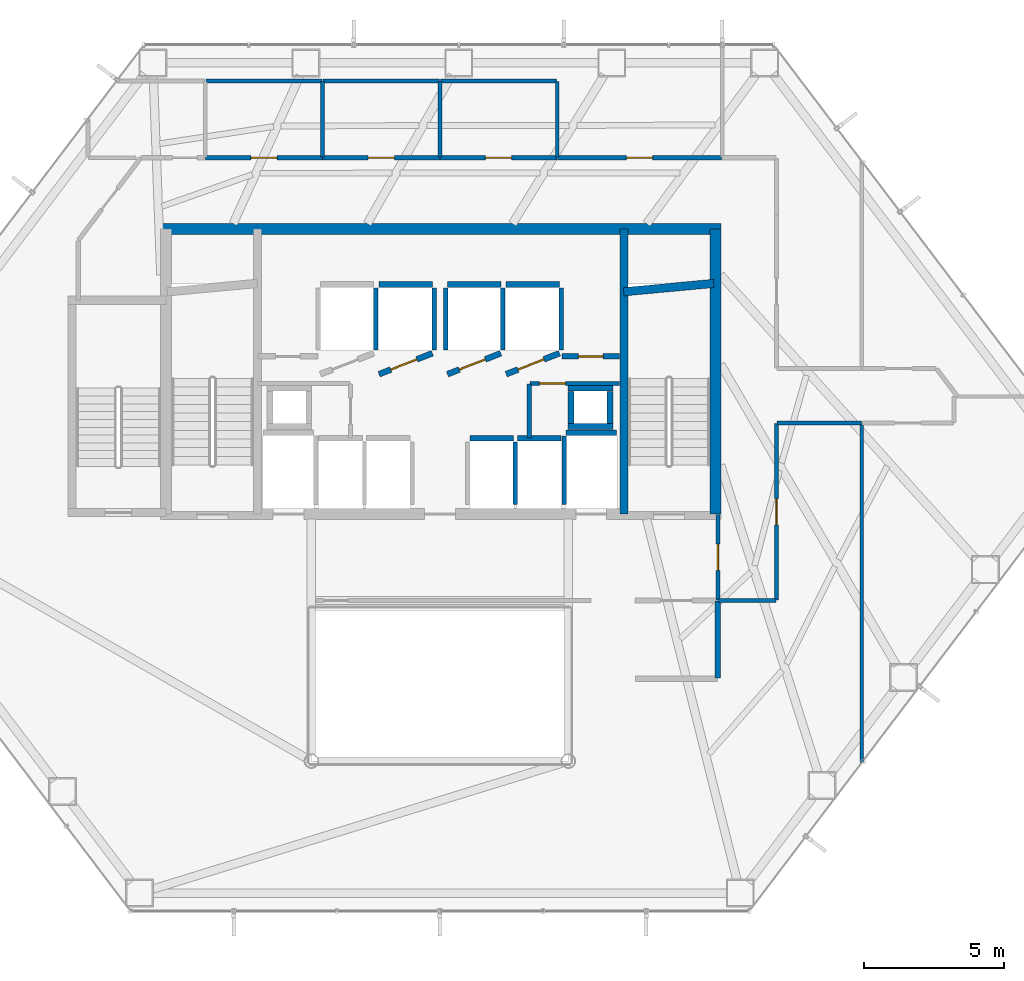
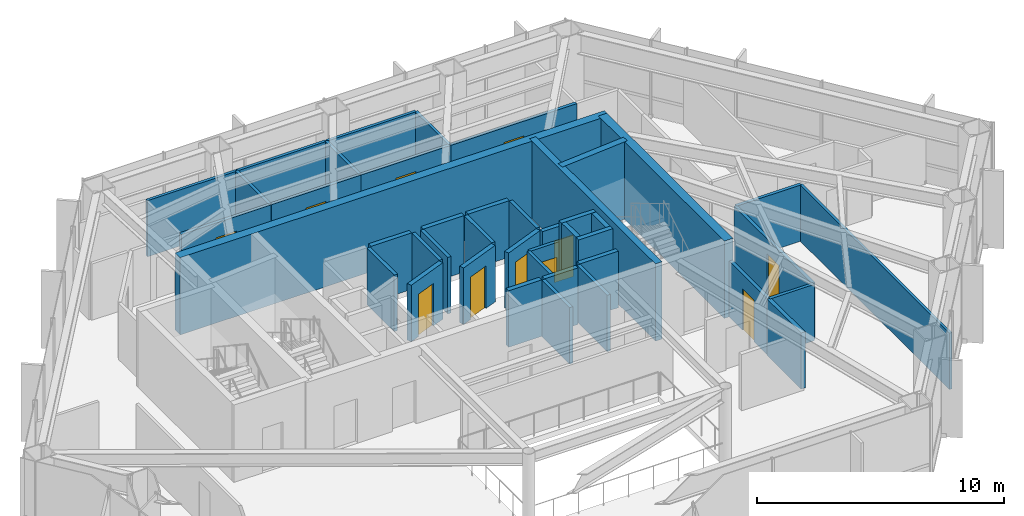
# One storey, part 23 of 25: 43 walls, 11 doors, 11 openings.
"""IFC4 building model written with IfcOpenShell, lengths in metres."""

from ifc_helpers import new_model, si_unit, direction, frame, frame_2d, origin, place, context, subcontext, project, spatial, rectangle, extrude, material, layer, layer_set, type_object, element, fill, save


model = new_model("IFC4")

# Units and contexts
model_context = context("Model", 3, precision=1e-05, world=origin(), true_north=direction((0.0, 1.0)))
body_context = subcontext(model_context, "Body", "Model", "MODEL_VIEW")
ifc_project = project(units=[si_unit("LENGTHUNIT", "METRE"), si_unit("AREAUNIT", "SQUARE_METRE"), si_unit("VOLUMEUNIT", "CUBIC_METRE"), si_unit("PLANEANGLEUNIT", "RADIAN"), si_unit("MASSUNIT", "GRAM", prefix="KILO")], contexts=[model_context])

# Site, building, storey
site_placement = place(None, origin())
site = spatial("IfcSite", under=ifc_project, at=site_placement, CompositionType="ELEMENT")
building_placement = place(site_placement, origin())
building = spatial("IfcBuilding", under=site, at=building_placement, Name="Zarrinselat Tower", CompositionType="ELEMENT")
storey_placement = place(building_placement, frame((0.0, 0.0, 43.860107421875)))
storey = spatial("IfcBuildingStorey", under=building, at=storey_placement, Name="L10", CompositionType="ELEMENT", Elevation=43.860107421875)

# Wall
ifc_material_1 = material(Name="Concrete C40/50", Category="concrete")
ifc_layer_1 = layer(ifc_material_1, 0.18994140625)
ifc_layer_set_1 = layer_set([ifc_layer_1], Name="Concrete C40/50")
wall_type_1 = type_object("IfcWallType", Name="WAL-PART-EI120", PredefinedType="PARTITIONING", material=ifc_layer_set_1)
wall_1_placement = place(storey_placement, frame((48.35009765625, 27.3701171875, 0.0), z_axis=(0.0, 0.0, 1.0), x_axis=(0.0, 1.0, 0.0)))
element("IfcWall", 1, at=wall_1_placement, inside=storey, type_object=wall_type_1, Name="L10 Partition Wall 11", PredefinedType="PARTITIONING", context=body_context, shape_type="SweptSolid", body=[
    extrude(rectangle(XDim=2.759765625, YDim=0.18994140625, at=frame_2d((1.3798828125, 0.0))), origin(), (0.0, 0.0, 1.0), 2.77685546875),
])

# Wall, opening, door
ifc_material_2 = material(Name="Fire-Rated Gypsum Board Partition", Category="gypsum")
ifc_layer_2 = layer(ifc_material_2, 0.14990234375)
ifc_layer_set_2 = layer_set([ifc_layer_2], Name="Fire-Rated Gypsum Board Partition")
wall_type_2 = type_object("IfcWallType", Name="WAL-PART-EI60", PredefinedType="PARTITIONING", material=ifc_layer_set_2)
wall_2_placement = place(storey_placement, frame((41.6201171875, 37.919921875, 0.0), z_axis=(0.0, 0.0, 1.0), x_axis=(1.0, 0.0, 0.0)))
wall_2 = element("IfcWall", 2, at=wall_2_placement, inside=storey, type_object=wall_type_2, Name="L10 Partition Wall 5", PredefinedType="PARTITIONING", context=body_context, shape_type="SweptSolid", body=[
    extrude(rectangle(XDim=3.21484375, YDim=0.14990234375, at=frame_2d((1.607421875, 0.0))), origin(), (0.0, 0.0, 1.0), 2.77685546875),
])
opening_1_placement = place(wall_2_placement, frame((0.33740234375, 0.0, 0.0)))
opening_1 = element("IfcOpeningElement", 3, at=opening_1_placement, cuts=wall_2, Name="Opening ID-04", PredefinedType="OPENING", context=body_context, shape_type="SweptSolid", body=[
    extrude(rectangle(XDim=0.93994140625, YDim=2.050048828125, at=frame_2d((0.469970703125, 1.02490234375))), frame((0.0, 0.0849609375, 0.0), z_axis=(0.0, -1.0, 0.0), x_axis=(1.0, 0.0, 0.0)), (0.0, 0.0, 1.0), 0.169921875),
])
ifc_material_3 = material(Name="Fire-Rated Gypsum Board Partition")
door_type_1 = type_object("IfcDoorType", Name="DR-INT-FD30-ENT", OperationType="NOTDEFINED", PredefinedType="DOOR", material=ifc_material_3)
door_1_placement = place(opening_1_placement, origin())
door_1 = element("IfcDoor", 4, at=door_1_placement, inside=storey, type_object=door_type_1, Name="L10 Interior Door P5", OperationType="SINGLE_SWING_RIGHT", OverallHeight=2.050048828125, OverallWidth=0.93994140625, PredefinedType="DOOR", context=body_context, shape_type="SweptSolid", body=[
    extrude(rectangle(XDim=0.93994140625, YDim=2.050048828125, at=frame_2d((0.469970703125, 1.02490234375))), frame((0.0, 0.02490234375, 0.0), z_axis=(0.0, -1.0, 0.0), x_axis=(1.0, 0.0, 0.0)), (0.0, 0.0, 1.0), 0.050048828125),
])
fill(opening_1, door_1)

# Wall
wall_3_placement = place(storey_placement, frame((41.60009765625, 35.969970703125, 0.0), z_axis=(0.0, 0.0, 1.0), x_axis=(0.0, 1.0, 0.0)))
element("IfcWall", 5, at=wall_3_placement, inside=storey, type_object=wall_type_2, Name="L10 Partition Wall 6", PredefinedType="PARTITIONING", context=body_context, shape_type="SweptSolid", body=[
    extrude(rectangle(XDim=1.929931640625, YDim=0.14990234375, at=frame_2d((0.96484375, 0.0))), origin(), (0.0, 0.0, 1.0), 2.77685546875),
])

# Wall, opening, door
wall_4_placement = place(storey_placement, frame((48.35009765625, 30.169921875, 0.0), z_axis=(0.0, 0.0, 1.0), x_axis=(0.0, 1.0, 0.0)))
wall_4 = element("IfcWall", 6, at=wall_4_placement, inside=storey, type_object=wall_type_2, Name="L10 Partition Wall 8", PredefinedType="PARTITIONING", context=body_context, shape_type="SweptSolid", body=[
    extrude(rectangle(XDim=3.06005859375, YDim=0.14990234375, at=frame_2d((1.530029296875, 0.0))), origin(), (0.0, 0.0, 1.0), 2.77685546875),
])
opening_2_placement = place(wall_4_placement, frame((1.06005859375, 0.0, 0.0)))
opening_2 = element("IfcOpeningElement", 7, at=opening_2_placement, cuts=wall_4, Name="Opening ID-04", PredefinedType="OPENING", context=body_context, shape_type="SweptSolid", body=[
    extrude(rectangle(XDim=0.93994140625, YDim=2.050048828125, at=frame_2d((0.469970703125, 1.02490234375))), frame((0.0, 0.0849609375, 0.0), z_axis=(0.0, -1.0, 0.0), x_axis=(1.0, 0.0, 0.0)), (0.0, 0.0, 1.0), 0.169921875),
])
door_2_placement = place(opening_2_placement, origin())
door_2 = element("IfcDoor", 8, at=door_2_placement, inside=storey, type_object=door_type_1, Name="L10 Interior Door P8", OperationType="SINGLE_SWING_RIGHT", OverallHeight=2.050048828125, OverallWidth=0.93994140625, PredefinedType="DOOR", context=body_context, shape_type="SweptSolid", body=[
    extrude(rectangle(XDim=0.93994140625, YDim=2.050048828125, at=frame_2d((0.469970703125, 1.02490234375))), frame((0.0, 0.02490234375, 0.0), z_axis=(0.0, -1.0, 0.0), x_axis=(1.0, 0.0, 0.0)), (0.0, 0.0, 1.0), 0.050048828125),
])
fill(opening_2, door_2)

wall_5_placement = place(storey_placement, frame((30.0048828125, 46.0, 0.0), z_axis=(0.0, 0.0, 1.0), x_axis=(1.0, 0.0, 0.0)))
wall_5 = element("IfcWall", 9, at=wall_5_placement, inside=storey, type_object=wall_type_2, Name="L10 Partition Wall 14", PredefinedType="PARTITIONING", context=body_context, shape_type="SweptSolid", body=[
    extrude(rectangle(XDim=4.190185546875, YDim=0.14990234375, at=frame_2d((2.09521484375, 0.0))), origin(), (0.0, 0.0, 1.0), 2.77685546875),
])
opening_3_placement = place(wall_5_placement, frame((1.625, 0.0, 0.0)))
opening_3 = element("IfcOpeningElement", 10, at=opening_3_placement, cuts=wall_5, Name="Opening ID-04", PredefinedType="OPENING", context=body_context, shape_type="SweptSolid", body=[
    extrude(rectangle(XDim=0.93994140625, YDim=2.050048828125, at=frame_2d((0.469970703125, 1.02490234375))), frame((0.0, 0.0849609375, 0.0), z_axis=(0.0, -1.0, 0.0), x_axis=(1.0, 0.0, 0.0)), (0.0, 0.0, 1.0), 0.169921875),
])
door_3_placement = place(opening_3_placement, origin())
door_3 = element("IfcDoor", 11, at=door_3_placement, inside=storey, type_object=door_type_1, Name="L10 Interior Door P14", OperationType="SINGLE_SWING_LEFT", OverallHeight=2.050048828125, OverallWidth=0.93994140625, PredefinedType="DOOR", context=body_context, shape_type="SweptSolid", body=[
    extrude(rectangle(XDim=0.93994140625, YDim=2.050048828125, at=frame_2d((0.469970703125, 1.02490234375))), frame((0.0, 0.02490234375, 0.0), z_axis=(0.0, -1.0, 0.0), x_axis=(1.0, 0.0, 0.0)), (0.0, 0.0, 1.0), 0.050048828125),
])
fill(opening_3, door_3)

wall_6_placement = place(storey_placement, frame((34.205078125, 46.0, 0.0), z_axis=(0.0, 0.0, 1.0), x_axis=(1.0, 0.0, 0.0)))
wall_6 = element("IfcWall", 12, at=wall_6_placement, inside=storey, type_object=wall_type_2, Name="L10 Partition Wall 15", PredefinedType="PARTITIONING", context=body_context, shape_type="SweptSolid", body=[
    extrude(rectangle(XDim=4.18994140625, YDim=0.14990234375, at=frame_2d((2.094970703125, 0.0))), origin(), (0.0, 0.0, 1.0), 2.77685546875),
])
opening_4_placement = place(wall_6_placement, frame((1.625, 0.0, 0.0)))
opening_4 = element("IfcOpeningElement", 13, at=opening_4_placement, cuts=wall_6, Name="Opening ID-04", PredefinedType="OPENING", context=body_context, shape_type="SweptSolid", body=[
    extrude(rectangle(XDim=0.93994140625, YDim=2.050048828125, at=frame_2d((0.469970703125, 1.02490234375))), frame((0.0, 0.0849609375, 0.0), z_axis=(0.0, -1.0, 0.0), x_axis=(1.0, 0.0, 0.0)), (0.0, 0.0, 1.0), 0.169921875),
])
door_4_placement = place(opening_4_placement, origin())
door_4 = element("IfcDoor", 14, at=door_4_placement, inside=storey, type_object=door_type_1, Name="L10 Interior Door P15", OperationType="SINGLE_SWING_RIGHT", OverallHeight=2.050048828125, OverallWidth=0.93994140625, PredefinedType="DOOR", context=body_context, shape_type="SweptSolid", body=[
    extrude(rectangle(XDim=0.93994140625, YDim=2.050048828125, at=frame_2d((0.469970703125, 1.02490234375))), frame((0.0, 0.02490234375, 0.0), z_axis=(0.0, -1.0, 0.0), x_axis=(1.0, 0.0, 0.0)), (0.0, 0.0, 1.0), 0.050048828125),
])
fill(opening_4, door_4)

wall_7_placement = place(storey_placement, frame((38.405029296875, 46.0, 0.0), z_axis=(0.0, 0.0, 1.0), x_axis=(1.0, 0.0, 0.0)))
wall_7 = element("IfcWall", 15, at=wall_7_placement, inside=storey, type_object=wall_type_2, Name="L10 Partition Wall 16", PredefinedType="PARTITIONING", context=body_context, shape_type="SweptSolid", body=[
    extrude(rectangle(XDim=4.18994140625, YDim=0.14990234375, at=frame_2d((2.094970703125, 0.0))), origin(), (0.0, 0.0, 1.0), 2.77685546875),
])
opening_5_placement = place(wall_7_placement, frame((1.625, 0.0, 0.0)))
opening_5 = element("IfcOpeningElement", 16, at=opening_5_placement, cuts=wall_7, Name="Opening ID-04", PredefinedType="OPENING", context=body_context, shape_type="SweptSolid", body=[
    extrude(rectangle(XDim=0.93994140625, YDim=2.050048828125, at=frame_2d((0.469970703125, 1.02490234375))), frame((0.0, 0.0849609375, 0.0), z_axis=(0.0, -1.0, 0.0), x_axis=(1.0, 0.0, 0.0)), (0.0, 0.0, 1.0), 0.169921875),
])
door_5_placement = place(opening_5_placement, origin())
door_5 = element("IfcDoor", 17, at=door_5_placement, inside=storey, type_object=door_type_1, Name="L10 Interior Door P16", OperationType="SINGLE_SWING_LEFT", OverallHeight=2.050048828125, OverallWidth=0.93994140625, PredefinedType="DOOR", context=body_context, shape_type="SweptSolid", body=[
    extrude(rectangle(XDim=0.93994140625, YDim=2.050048828125, at=frame_2d((0.469970703125, 1.02490234375))), frame((0.0, 0.02490234375, 0.0), z_axis=(0.0, -1.0, 0.0), x_axis=(1.0, 0.0, 0.0)), (0.0, 0.0, 1.0), 0.050048828125),
])
fill(opening_5, door_5)

# Wall
wall_8_placement = place(storey_placement, frame((50.469970703125, 36.5, 0.0), z_axis=(0.0, 0.0, 1.0), x_axis=(1.0, 0.0, 0.0)))
element("IfcWall", 18, at=wall_8_placement, inside=storey, type_object=wall_type_2, Name="L10 Partition Wall 17", PredefinedType="PARTITIONING", context=body_context, shape_type="SweptSolid", body=[
    extrude(rectangle(XDim=3.025146484375, YDim=0.14990234375, at=frame_2d((1.5126953125, 0.0))), origin(), (0.0, 0.0, 1.0), 2.77685546875),
])

# Wall, opening, door
wall_9_placement = place(storey_placement, frame((50.449951171875, 30.169921875, 0.0), z_axis=(0.0, 0.0, 1.0), x_axis=(0.0, 1.0, 0.0)))
wall_9 = element("IfcWall", 19, at=wall_9_placement, inside=storey, type_object=wall_type_2, Name="L10 Partition Wall 18", PredefinedType="PARTITIONING", context=body_context, shape_type="SweptSolid", body=[
    extrude(rectangle(XDim=6.31005859375, YDim=0.14990234375, at=frame_2d((3.155029296875, 0.0))), origin(), (0.0, 0.0, 1.0), 2.77685546875),
])
opening_6_placement = place(wall_9_placement, frame((2.68505859375, 0.0, 0.0)))
opening_6 = element("IfcOpeningElement", 20, at=opening_6_placement, cuts=wall_9, Name="Opening ID-04", PredefinedType="OPENING", context=body_context, shape_type="SweptSolid", body=[
    extrude(rectangle(XDim=0.93994140625, YDim=2.050048828125, at=frame_2d((0.469970703125, 1.02490234375))), frame((0.0, 0.0849609375, 0.0), z_axis=(0.0, -1.0, 0.0), x_axis=(1.0, 0.0, 0.0)), (0.0, 0.0, 1.0), 0.169921875),
])
door_6_placement = place(opening_6_placement, origin())
door_6 = element("IfcDoor", 21, at=door_6_placement, inside=storey, type_object=door_type_1, Name="L10 Interior Door P18", OperationType="SINGLE_SWING_RIGHT", OverallHeight=2.050048828125, OverallWidth=0.93994140625, PredefinedType="DOOR", context=body_context, shape_type="SweptSolid", body=[
    extrude(rectangle(XDim=0.93994140625, YDim=2.050048828125, at=frame_2d((0.469970703125, 1.02490234375))), frame((0.0, 0.02490234375, 0.0), z_axis=(0.0, -1.0, 0.0), x_axis=(1.0, 0.0, 0.0)), (0.0, 0.0, 1.0), 0.050048828125),
])
fill(opening_6, door_6)

# Wall
wall_10_placement = place(storey_placement, frame((48.3701171875, 30.14990234375, 0.0), z_axis=(0.0, 0.0, 1.0), x_axis=(1.0, 0.0, 0.0)))
element("IfcWall", 22, at=wall_10_placement, inside=storey, type_object=wall_type_2, Name="L10 Partition Wall 19", PredefinedType="PARTITIONING", context=body_context, shape_type="SweptSolid", body=[
    extrude(rectangle(XDim=2.059814453125, YDim=0.14990234375, at=frame_2d((1.02978515625, 0.0))), origin(), (0.0, 0.0, 1.0), 2.77685546875),
])

# Wall, opening, door
wall_11_placement = place(storey_placement, frame((42.60498046875, 46.0, 0.0), z_axis=(0.0, 0.0, 1.0), x_axis=(1.0, 0.0, 0.0)))
wall_11 = element("IfcWall", 23, at=wall_11_placement, inside=storey, type_object=wall_type_2, Name="L10 Partition Wall 30", PredefinedType="PARTITIONING", context=body_context, shape_type="SweptSolid", body=[
    extrude(rectangle(XDim=5.880126953125, YDim=0.14990234375, at=frame_2d((2.93994140625, 0.0))), origin(), (0.0, 0.0, 1.0), 2.77685546875),
])
opening_7_placement = place(wall_11_placement, frame((2.469970703125, 0.0, 0.0)))
opening_7 = element("IfcOpeningElement", 24, at=opening_7_placement, cuts=wall_11, Name="Opening ID-04", PredefinedType="OPENING", context=body_context, shape_type="SweptSolid", body=[
    extrude(rectangle(XDim=0.93994140625, YDim=2.050048828125, at=frame_2d((0.469970703125, 1.02490234375))), frame((0.0, 0.0849609375, 0.0), z_axis=(0.0, -1.0, 0.0), x_axis=(1.0, 0.0, 0.0)), (0.0, 0.0, 1.0), 0.169921875),
])
door_7_placement = place(opening_7_placement, origin())
door_7 = element("IfcDoor", 25, at=door_7_placement, inside=storey, type_object=door_type_1, Name="L10 Interior Door P30", OperationType="SINGLE_SWING_LEFT", OverallHeight=2.050048828125, OverallWidth=0.93994140625, PredefinedType="DOOR", context=body_context, shape_type="SweptSolid", body=[
    extrude(rectangle(XDim=0.93994140625, YDim=2.050048828125, at=frame_2d((0.469970703125, 1.02490234375))), frame((0.0, 0.02490234375, 0.0), z_axis=(0.0, -1.0, 0.0), x_axis=(1.0, 0.0, 0.0)), (0.0, 0.0, 1.0), 0.050048828125),
])
fill(opening_7, door_7)

ifc_material_4 = material(Name="Concrete C40/50", Category="concrete")
ifc_layer_3 = layer(ifc_material_4, 0.199951171875)
ifc_layer_set_3 = layer_set([ifc_layer_3], Name="Concrete C40/50")
wall_type_3 = type_object("IfcWallType", Name="WAL-PART-PLANT", PredefinedType="PARTITIONING", material=ifc_layer_set_3)
wall_12_placement = place(storey_placement, frame((42.764892578125, 38.889892578125, 0.0), z_axis=(0.0, 0.0, 1.0), x_axis=(1.0, 0.0, 0.0)))
wall_12 = element("IfcWall", 26, at=wall_12_placement, inside=storey, type_object=wall_type_3, Name="L10 Partition Wall 4", PredefinedType="PARTITIONING", context=body_context, shape_type="SweptSolid", body=[
    extrude(rectangle(XDim=2.070068359375, YDim=0.199951171875, at=frame_2d((1.03515625, 0.0))), origin(), (0.0, 0.0, 1.0), 2.77685546875),
])
opening_8_placement = place(wall_12_placement, frame((0.594970703125, 0.0, 0.0)))
opening_8 = element("IfcOpeningElement", 27, at=opening_8_placement, cuts=wall_12, Name="Opening ID-03", PredefinedType="OPENING", context=body_context, shape_type="SweptSolid", body=[
    extrude(rectangle(XDim=0.8798828125, YDim=2.050048828125, at=frame_2d((0.43994140625, 1.02490234375))), frame((0.0, 0.10986328125, 0.0), z_axis=(0.0, -1.0, 0.0), x_axis=(1.0, 0.0, 0.0)), (0.0, 0.0, 1.0), 0.219970703125),
])
ifc_material_5 = material(Name="Steel S355J2", Category="steel")
door_type_2 = type_object("IfcDoorType", Name="DR-INT-FD60-S", OperationType="NOTDEFINED", PredefinedType="DOOR", material=ifc_material_5)
door_8_placement = place(opening_8_placement, origin())
door_8 = element("IfcDoor", 28, at=door_8_placement, inside=storey, type_object=door_type_2, Name="L10 Interior Door P4", OperationType="SINGLE_SWING_LEFT", OverallHeight=2.050048828125, OverallWidth=0.8798828125, PredefinedType="DOOR", context=body_context, shape_type="SweptSolid", body=[
    extrude(rectangle(XDim=0.8798828125, YDim=2.050048828125, at=frame_2d((0.43994140625, 1.02490234375))), frame((0.0, 0.02490234375, 0.0), z_axis=(0.0, -1.0, 0.0), x_axis=(1.0, 0.0, 0.0)), (0.0, 0.0, 1.0), 0.050048828125),
])
fill(opening_8, door_8)

# Walls
ifc_material_6 = material(Name="Fire-Rated Gypsum Board Partition", Category="gypsum")
ifc_layer_4 = layer(ifc_material_6, 0.1201171875)
ifc_layer_set_4 = layer_set([ifc_layer_4], Name="Fire-Rated Gypsum Board Partition")
wall_type_4 = type_object("IfcWallType", Name="WAL-PART-STD", PredefinedType="PARTITIONING", material=ifc_layer_set_4)
wall_13_placement = place(storey_placement, frame((53.5, 24.351318359375, 0.0), z_axis=(0.0, 0.0, 1.0), x_axis=(0.0, 1.0, 0.0)))
element("IfcWall", 29, at=wall_13_placement, inside=storey, type_object=wall_type_4, Name="L10 Partition Wall 41", PredefinedType="PARTITIONING", context=body_context, shape_type="SweptSolid", body=[
    extrude(rectangle(XDim=12.128662109375, YDim=0.1201171875, at=frame_2d((6.064453125, 0.0))), origin(), (0.0, 0.0, 1.0), 2.77685546875),
])
ifc_material_7 = material(Name="Fire-Rated Gypsum Board Partition", Category="gypsum")
ifc_layer_5 = layer(ifc_material_7, 0.135009765625)
ifc_layer_set_5 = layer_set([ifc_layer_5], Name="Fire-Rated Gypsum Board Partition")
wall_type_5 = type_object("IfcWallType", Name="WAL-PART-WET", PredefinedType="PARTITIONING", material=ifc_layer_set_5)
wall_14_placement = place(storey_placement, frame((34.199951171875, 46.02001953125, 0.0), z_axis=(0.0, 0.0, 1.0), x_axis=(0.0, 1.0, 0.0)))
element("IfcWall", 30, at=wall_14_placement, inside=storey, type_object=wall_type_5, Name="L10 Partition Wall 35", PredefinedType="PARTITIONING", context=body_context, shape_type="SweptSolid", body=[
    extrude(rectangle(XDim=2.7099609375, YDim=0.135009765625, at=frame_2d((1.35498046875, 0.0))), origin(), (0.0, 0.0, 1.0), 2.77685546875),
])
wall_15_placement = place(storey_placement, frame((30.02001953125, 48.75, 0.0), z_axis=(0.0, 0.0, 1.0), x_axis=(1.0, 0.0, 0.0)))
element("IfcWall", 31, at=wall_15_placement, inside=storey, type_object=wall_type_5, Name="L10 Partition Wall 36", PredefinedType="PARTITIONING", context=body_context, shape_type="SweptSolid", body=[
    extrude(rectangle(XDim=4.159912109375, YDim=0.135009765625, at=frame_2d((2.080078125, 0.0))), origin(), (0.0, 0.0, 1.0), 2.77685546875),
])
wall_16_placement = place(storey_placement, frame((38.39990234375, 46.02001953125, 0.0), z_axis=(0.0, 0.0, 1.0), x_axis=(0.0, 1.0, 0.0)))
element("IfcWall", 32, at=wall_16_placement, inside=storey, type_object=wall_type_5, Name="L10 Partition Wall 37", PredefinedType="PARTITIONING", context=body_context, shape_type="SweptSolid", body=[
    extrude(rectangle(XDim=2.7099609375, YDim=0.135009765625, at=frame_2d((1.35498046875, 0.0))), origin(), (0.0, 0.0, 1.0), 2.77685546875),
])
wall_17_placement = place(storey_placement, frame((34.219970703125, 48.75, 0.0), z_axis=(0.0, 0.0, 1.0), x_axis=(1.0, 0.0, 0.0)))
element("IfcWall", 33, at=wall_17_placement, inside=storey, type_object=wall_type_5, Name="L10 Partition Wall 38", PredefinedType="PARTITIONING", context=body_context, shape_type="SweptSolid", body=[
    extrude(rectangle(XDim=4.159912109375, YDim=0.135009765625, at=frame_2d((2.080078125, 0.0))), origin(), (0.0, 0.0, 1.0), 2.77685546875),
])
wall_18_placement = place(storey_placement, frame((38.419921875, 48.75, 0.0), z_axis=(0.0, 0.0, 1.0), x_axis=(1.0, 0.0, 0.0)))
element("IfcWall", 34, at=wall_18_placement, inside=storey, type_object=wall_type_5, Name="L10 Partition Wall 39", PredefinedType="PARTITIONING", context=body_context, shape_type="SweptSolid", body=[
    extrude(rectangle(XDim=4.16015625, YDim=0.135009765625, at=frame_2d((2.080078125, 0.0))), origin(), (0.0, 0.0, 1.0), 2.77685546875),
])
wall_19_placement = place(storey_placement, frame((42.60009765625, 46.02001953125, 0.0), z_axis=(0.0, 0.0, 1.0), x_axis=(0.0, 1.0, 0.0)))
element("IfcWall", 35, at=wall_19_placement, inside=storey, type_object=wall_type_5, Name="L10 Partition Wall 40", PredefinedType="PARTITIONING", context=body_context, shape_type="SweptSolid", body=[
    extrude(rectangle(XDim=2.7099609375, YDim=0.135009765625, at=frame_2d((1.35498046875, 0.0))), origin(), (0.0, 0.0, 1.0), 2.77685546875),
])
ifc_material_8 = material(Name="Concrete C40/50", Category="concrete")
ifc_layer_6 = layer(ifc_material_8, 0.2099609375)
ifc_layer_set_6 = layer_set([ifc_layer_6], Name="Concrete C40/50")
wall_type_6 = type_object("IfcWallType", Name="WAL-SHAFT-210", PredefinedType="SOLIDWALL", material=ifc_layer_set_6)
wall_20_placement = place(storey_placement, frame((42.919921875, 36.155029296875, 0.0), z_axis=(0.0, 0.0, 1.0), x_axis=(1.0, 0.0, 0.0)))
element("IfcWall", 36, at=wall_20_placement, inside=storey, type_object=wall_type_6, Name="L10 Lift FFL2 North Shaft Wall", PredefinedType="SOLIDWALL", context=body_context, shape_type="SweptSolid", body=[
    extrude(rectangle(XDim=1.800048828125, YDim=0.2099609375, at=frame_2d((0.89990234375, 0.0))), origin(), (0.0, 0.0, 1.0), 2.7919921875),
])
wall_21_placement = place(storey_placement, frame((42.85009765625, 33.580078125, 0.0), z_axis=(0.0, 0.0, 1.0), x_axis=(0.0, 1.0, 0.0)))
element("IfcWall", 37, at=wall_21_placement, inside=storey, type_object=wall_type_6, Name="L10 Lift FFL2 W Shaft Wall", PredefinedType="SOLIDWALL", context=body_context, shape_type="SweptSolid", body=[
    extrude(rectangle(XDim=2.449951171875, YDim=0.159912109375, at=frame_2d((1.22509765625, 0.0))), origin(), (0.0, 0.0, 1.0), 2.7919921875),
])
wall_22_placement = place(storey_placement, frame((36.10009765625, 39.1201171875, 0.0), z_axis=(0.0, 0.0, 1.0), x_axis=(0.0, 1.0, 0.0)))
element("IfcWall", 38, at=wall_22_placement, inside=storey, type_object=wall_type_6, Name="L10 Lift PL1 E Shaft Wall", PredefinedType="SOLIDWALL", context=body_context, shape_type="SweptSolid", body=[
    extrude(rectangle(XDim=2.2099609375, YDim=0.159912109375, at=frame_2d((1.10498046875, 0.0))), origin(), (0.0, 0.0, 1.0), 2.7919921875),
])

# Wall, opening, door
wall_23_placement = place(storey_placement, frame((36.219970703125, 38.25, 0.0), z_axis=(0.0, 0.0, 1.0), x_axis=(0.930804993012, 0.36551616241, 0.0)))
wall_23 = element("IfcWall", 39, at=wall_23_placement, inside=storey, type_object=wall_type_6, Name="L10 Lift PL2 Front Shaft Wall", PredefinedType="SOLIDWALL", context=body_context, shape_type="SweptSolid", body=[
    extrude(rectangle(XDim=2.052001953125, YDim=0.2099609375, at=frame_2d((1.02587890625, 0.0))), origin(), (0.0, 0.0, 1.0), 2.7919921875),
])
opening_9_placement = place(wall_23_placement, frame((0.455078125, 0.0, 0.0)))
opening_9 = element("IfcOpeningElement", 40, at=opening_9_placement, cuts=wall_23, Name="Opening LD-PL2", PredefinedType="OPENING", context=body_context, shape_type="SweptSolid", body=[
    extrude(rectangle(XDim=1.0, YDim=2.10009765625, at=frame_2d((0.5, 1.050048828125))), frame((0.0, 0.114990234375, 0.0), z_axis=(0.0, -1.0, 0.0), x_axis=(1.0, 0.0, 0.0)), (0.0, 0.0, 1.0), 0.22998046875),
])
ifc_material_9 = material(Name="Steel S355J2", Category="steel")
door_type_3 = type_object("IfcDoorType", Name="DR-LIFT-PS-1000", OperationType="NOTDEFINED", PredefinedType="DOOR", material=ifc_material_9)
door_9_placement = place(opening_9_placement, origin())
door_9 = element("IfcDoor", 41, at=door_9_placement, inside=storey, type_object=door_type_3, Name="L10 Lift PL2 Sliding Landing Door", OperationType="SLIDING_TO_RIGHT", OverallHeight=2.10009765625, OverallWidth=1.0, PredefinedType="DOOR", context=body_context, shape_type="SweptSolid", body=[
    extrude(rectangle(XDim=1.0, YDim=2.10009765625, at=frame_2d((0.5, 1.050048828125))), frame((0.0, 0.02490234375, 0.0), z_axis=(0.0, -1.0, 0.0), x_axis=(1.0, 0.0, 0.0)), (0.0, 0.0, 1.0), 0.050048828125),
])
fill(opening_9, door_9)

# Walls
wall_24_placement = place(storey_placement, frame((36.219970703125, 41.455078125, 0.0), z_axis=(0.0, 0.0, 1.0), x_axis=(1.0, 0.0, 0.0)))
element("IfcWall", 42, at=wall_24_placement, inside=storey, type_object=wall_type_6, Name="L10 Lift PL2 Rear Shaft Wall", PredefinedType="SOLIDWALL", context=body_context, shape_type="SweptSolid", body=[
    extrude(rectangle(XDim=1.909912109375, YDim=0.2099609375, at=frame_2d((0.955078125, 0.0))), origin(), (0.0, 0.0, 1.0), 2.7919921875),
])
wall_25_placement = place(storey_placement, frame((38.199951171875, 39.1201171875, 0.0), z_axis=(0.0, 0.0, 1.0), x_axis=(0.0, 1.0, 0.0)))
element("IfcWall", 43, at=wall_25_placement, inside=storey, type_object=wall_type_6, Name="L10 Lift PL2 E Shaft Wall", PredefinedType="SOLIDWALL", context=body_context, shape_type="SweptSolid", body=[
    extrude(rectangle(XDim=2.2099609375, YDim=0.159912109375, at=frame_2d((1.10498046875, 0.0))), origin(), (0.0, 0.0, 1.0), 2.7919921875),
])

# Wall, opening, door
wall_26_placement = place(storey_placement, frame((38.669921875, 38.25, 0.0), z_axis=(0.0, 0.0, 1.0), x_axis=(0.930820886763, 0.3654756856, 0.0)))
wall_26 = element("IfcWall", 44, at=wall_26_placement, inside=storey, type_object=wall_type_6, Name="L10 Lift PL3 Front Shaft Wall", PredefinedType="SOLIDWALL", context=body_context, shape_type="SweptSolid", body=[
    extrude(rectangle(XDim=2.052001953125, YDim=0.2099609375, at=frame_2d((1.02587890625, 0.0))), origin(), (0.0, 0.0, 1.0), 2.7919921875),
])
opening_10_placement = place(wall_26_placement, frame((0.455078125, 0.0, 0.0)))
opening_10 = element("IfcOpeningElement", 45, at=opening_10_placement, cuts=wall_26, Name="Opening LD-PL3", PredefinedType="OPENING", context=body_context, shape_type="SweptSolid", body=[
    extrude(rectangle(XDim=1.0, YDim=2.10009765625, at=frame_2d((0.5, 1.050048828125))), frame((0.0, 0.114990234375, 0.0), z_axis=(0.0, -1.0, 0.0), x_axis=(1.0, 0.0, 0.0)), (0.0, 0.0, 1.0), 0.22998046875),
])
door_10_placement = place(opening_10_placement, origin())
door_10 = element("IfcDoor", 46, at=door_10_placement, inside=storey, type_object=door_type_3, Name="L10 Lift PL3 Sliding Landing Door", OperationType="SLIDING_TO_LEFT", OverallHeight=2.10009765625, OverallWidth=1.0, PredefinedType="DOOR", context=body_context, shape_type="SweptSolid", body=[
    extrude(rectangle(XDim=1.0, YDim=2.10009765625, at=frame_2d((0.5, 1.050048828125))), frame((0.0, 0.02490234375, 0.0), z_axis=(0.0, -1.0, 0.0), x_axis=(1.0, 0.0, 0.0)), (0.0, 0.0, 1.0), 0.050048828125),
])
fill(opening_10, door_10)

# Walls
wall_27_placement = place(storey_placement, frame((38.669921875, 41.455078125, 0.0), z_axis=(0.0, 0.0, 1.0), x_axis=(1.0, 0.0, 0.0)))
element("IfcWall", 47, at=wall_27_placement, inside=storey, type_object=wall_type_6, Name="L10 Lift PL3 Rear Shaft Wall", PredefinedType="SOLIDWALL", context=body_context, shape_type="SweptSolid", body=[
    extrude(rectangle(XDim=1.91015625, YDim=0.2099609375, at=frame_2d((0.955078125, 0.0))), origin(), (0.0, 0.0, 1.0), 2.7919921875),
])
for number, where, z_axis, x_axis, name in (
    (48, (38.60009765625, 39.1201171875, 0.0), (0.0, 0.0, 1.0), (0.0, 1.0, 0.0), "L10 Lift PL3 W Shaft Wall"),
    (49, (40.64990234375, 39.1201171875, 0.0), (0.0, 0.0, 1.0), (0.0, 1.0, 0.0), "L10 Lift PL3 E Shaft Wall"),
):
    element("IfcWall", number, at=place(storey_placement, frame(where, z_axis=z_axis, x_axis=x_axis)), inside=storey, type_object=wall_type_6, Name=name, PredefinedType="SOLIDWALL", context=body_context, shape_type="SweptSolid", body=[
        extrude(rectangle(XDim=2.2099609375, YDim=0.159912109375, at=frame_2d((1.10498046875, 0.0))), origin(), (0.0, 0.0, 1.0), 2.7919921875),
    ])

# Wall, opening, door
wall_28_placement = place(storey_placement, frame((40.77001953125, 38.25, 0.0), z_axis=(0.0, 0.0, 1.0), x_axis=(0.930804993012, 0.36551616241, 0.0)))
wall_28 = element("IfcWall", 50, at=wall_28_placement, inside=storey, type_object=wall_type_6, Name="L10 Lift PL4 Front Shaft Wall", PredefinedType="SOLIDWALL", context=body_context, shape_type="SweptSolid", body=[
    extrude(rectangle(XDim=2.052001953125, YDim=0.2099609375, at=frame_2d((1.02587890625, 0.0))), origin(), (0.0, 0.0, 1.0), 2.7919921875),
])
opening_11_placement = place(wall_28_placement, frame((0.455078125, 0.0, 0.0)))
opening_11 = element("IfcOpeningElement", 51, at=opening_11_placement, cuts=wall_28, Name="Opening LD-PL4", PredefinedType="OPENING", context=body_context, shape_type="SweptSolid", body=[
    extrude(rectangle(XDim=1.0, YDim=2.10009765625, at=frame_2d((0.5, 1.050048828125))), frame((0.0, 0.114990234375, 0.0), z_axis=(0.0, -1.0, 0.0), x_axis=(1.0, 0.0, 0.0)), (0.0, 0.0, 1.0), 0.22998046875),
])
door_11_placement = place(opening_11_placement, origin())
door_11 = element("IfcDoor", 52, at=door_11_placement, inside=storey, type_object=door_type_3, Name="L10 Lift PL4 Sliding Landing Door", OperationType="SLIDING_TO_RIGHT", OverallHeight=2.10009765625, OverallWidth=1.0, PredefinedType="DOOR", context=body_context, shape_type="SweptSolid", body=[
    extrude(rectangle(XDim=1.0, YDim=2.10009765625, at=frame_2d((0.5, 1.050048828125))), frame((0.0, 0.02490234375, 0.0), z_axis=(0.0, -1.0, 0.0), x_axis=(1.0, 0.0, 0.0)), (0.0, 0.0, 1.0), 0.050048828125),
])
fill(opening_11, door_11)

# Walls
wall_29_placement = place(storey_placement, frame((40.77001953125, 41.455078125, 0.0), z_axis=(0.0, 0.0, 1.0), x_axis=(1.0, 0.0, 0.0)))
element("IfcWall", 53, at=wall_29_placement, inside=storey, type_object=wall_type_6, Name="L10 Lift PL4 Rear Shaft Wall", PredefinedType="SOLIDWALL", context=body_context, shape_type="SweptSolid", body=[
    extrude(rectangle(XDim=1.909912109375, YDim=0.2099609375, at=frame_2d((0.955078125, 0.0))), origin(), (0.0, 0.0, 1.0), 2.7919921875),
])
wall_30_placement = place(storey_placement, frame((42.75, 39.1201171875, 0.0), z_axis=(0.0, 0.0, 1.0), x_axis=(0.0, 1.0, 0.0)))
element("IfcWall", 54, at=wall_30_placement, inside=storey, type_object=wall_type_6, Name="L10 Lift PL4 E Shaft Wall", PredefinedType="SOLIDWALL", context=body_context, shape_type="SweptSolid", body=[
    extrude(rectangle(XDim=2.2099609375, YDim=0.159912109375, at=frame_2d((1.10498046875, 0.0))), origin(), (0.0, 0.0, 1.0), 2.7919921875),
])
wall_31_placement = place(storey_placement, frame((39.469970703125, 35.955078125, 0.0), z_axis=(0.0, 0.0, 1.0), x_axis=(1.0, 0.0, 0.0)))
element("IfcWall", 55, at=wall_31_placement, inside=storey, type_object=wall_type_6, Name="L10 Lift PL8 North Shaft Wall", PredefinedType="SOLIDWALL", context=body_context, shape_type="SweptSolid", body=[
    extrude(rectangle(XDim=1.56005859375, YDim=0.2099609375, at=frame_2d((0.780029296875, 0.0))), origin(), (0.0, 0.0, 1.0), 2.7919921875),
])
wall_32_placement = place(storey_placement, frame((41.10009765625, 33.580078125, 0.0), z_axis=(0.0, 0.0, 1.0), x_axis=(0.0, 1.0, 0.0)))
element("IfcWall", 56, at=wall_32_placement, inside=storey, type_object=wall_type_6, Name="L10 Lift PL8 E Shaft Wall", PredefinedType="SOLIDWALL", context=body_context, shape_type="SweptSolid", body=[
    extrude(rectangle(XDim=2.25, YDim=0.159912109375, at=frame_2d((1.125, 0.0))), origin(), (0.0, 0.0, 1.0), 2.7919921875),
])
wall_33_placement = place(storey_placement, frame((41.169921875, 35.955078125, 0.0), z_axis=(0.0, 0.0, 1.0), x_axis=(1.0, 0.0, 0.0)))
element("IfcWall", 57, at=wall_33_placement, inside=storey, type_object=wall_type_6, Name="L10 Lift PL9 North Shaft Wall", PredefinedType="SOLIDWALL", context=body_context, shape_type="SweptSolid", body=[
    extrude(rectangle(XDim=1.56005859375, YDim=0.2099609375, at=frame_2d((0.780029296875, 0.0))), origin(), (0.0, 0.0, 1.0), 2.7919921875),
])
for number, where, z_axis, x_axis, name in (
    (58, (42.989990234375, 36.375, 0.0), (0.0, 0.0, 1.0), (1.0, 0.0, 0.0), "L10 Core Riser RSR-E S Shaft Wall"),
    (59, (42.989990234375, 37.7451171875, 0.0), (0.0, 0.0, 1.0), (1.0, 0.0, 0.0), "L10 Core Riser RSR-E N Shaft Wall"),
):
    element("IfcWall", number, at=place(storey_placement, frame(where, z_axis=z_axis, x_axis=x_axis)), inside=storey, type_object=wall_type_6, Name=name, PredefinedType="SOLIDWALL", context=body_context, shape_type="SweptSolid", body=[
        extrude(rectangle(XDim=1.60009765625, YDim=0.2099609375, at=frame_2d((0.800048828125, 0.0))), origin(), (0.0, 0.0, 1.0), 3.81982421875),
    ])
for number, where, z_axis, x_axis, name in (
    (60, (43.094970703125, 36.485107421875, 0.0), (0.0, 0.0, 1.0), (0.0, 1.0, 0.0), "L10 Core Riser RSR-E W Shaft Wall"),
    (61, (44.485107421875, 36.485107421875, 0.0), (0.0, 0.0, 1.0), (0.0, 1.0, 0.0), "L10 Core Riser RSR-E E Shaft Wall"),
):
    element("IfcWall", number, at=place(storey_placement, frame(where, z_axis=z_axis, x_axis=x_axis)), inside=storey, type_object=wall_type_6, Name=name, PredefinedType="SOLIDWALL", context=body_context, shape_type="SweptSolid", body=[
        extrude(rectangle(XDim=1.14990234375, YDim=0.2099609375, at=frame_2d((0.574951171875, 0.0))), origin(), (0.0, 0.0, 1.0), 3.81982421875),
    ])
ifc_material_10 = material(Name="Concrete C40/50", Category="concrete")
ifc_layer_7 = layer(ifc_material_10, 0.300048828125)
ifc_layer_set_7 = layer_set([ifc_layer_7], Name="Concrete C40/50")
wall_type_7 = type_object("IfcWallType", Name="WAL-SHEAR-300", PredefinedType="SHEAR", material=ifc_layer_set_7)
wall_34_placement = place(storey_placement, frame((44.989990234375, 33.25, 0.0), z_axis=(0.0, 0.0, 1.0), x_axis=(0.0, 1.0, 0.0)))
element("IfcWall", 62, at=wall_34_placement, inside=storey, type_object=wall_type_7, Name="L10 Core Shear Wall ST2W", PredefinedType="SHEAR", context=body_context, shape_type="SweptSolid", body=[
    extrude(rectangle(XDim=10.199951171875, YDim=0.300048828125, at=frame_2d((5.10009765625, 0.0))), origin(), (0.0, 0.0, 1.0), 3.81982421875),
])
wall_35_placement = place(storey_placement, frame((44.97998046875, 41.199951171875, 0.0), z_axis=(0.0, 0.0, 1.0), x_axis=(0.995686468965, 0.09278176286, 0.0)))
element("IfcWall", 63, at=wall_35_placement, inside=storey, type_object=wall_type_7, Name="L10 Stair 2 North Shaft Wall", PredefinedType="SHEAR", context=body_context, shape_type="SweptSolid", body=[
    extrude(rectangle(XDim=3.23388671875, YDim=0.300048828125, at=frame_2d((1.616943359375, 0.0))), origin(), (0.0, 0.0, 1.0), 3.81982421875),
])
ifc_material_11 = material(Name="Concrete C60/75", Category="concrete")
ifc_layer_8 = layer(ifc_material_11, 0.39990234375)
ifc_layer_set_8 = layer_set([ifc_layer_8], Name="Concrete C60/75")
wall_type_8 = type_object("IfcWallType", Name="WAL-SHEAR-400", PredefinedType="SHEAR", material=ifc_layer_set_8)
wall_36_placement = place(storey_placement, frame((28.39990234375, 43.449951171875, 0.0), z_axis=(0.0, 0.0, 1.0), x_axis=(1.0, 0.0, 0.0)))
element("IfcWall", 64, at=wall_36_placement, inside=storey, type_object=wall_type_8, Name="L10 North Core Shear Wall", PredefinedType="SHEAR", context=body_context, shape_type="SweptSolid", body=[
    extrude(rectangle(XDim=20.06005859375, YDim=0.39990234375, at=frame_2d((10.030029296875, 0.0))), origin(), (0.0, 0.0, 1.0), 3.81982421875),
])
wall_37_placement = place(storey_placement, frame((48.260009765625, 33.25, 0.0), z_axis=(0.0, 0.0, 1.0), x_axis=(0.0, 1.0, 0.0)))
element("IfcWall", 65, at=wall_37_placement, inside=storey, type_object=wall_type_8, Name="L10 Core Shear Wall E", PredefinedType="SHEAR", context=body_context, shape_type="SweptSolid", body=[
    extrude(rectangle(XDim=10.199951171875, YDim=0.39990234375, at=frame_2d((5.10009765625, 0.0))), origin(), (0.0, 0.0, 1.0), 3.81982421875),
])

save(model, "model.ifc")
